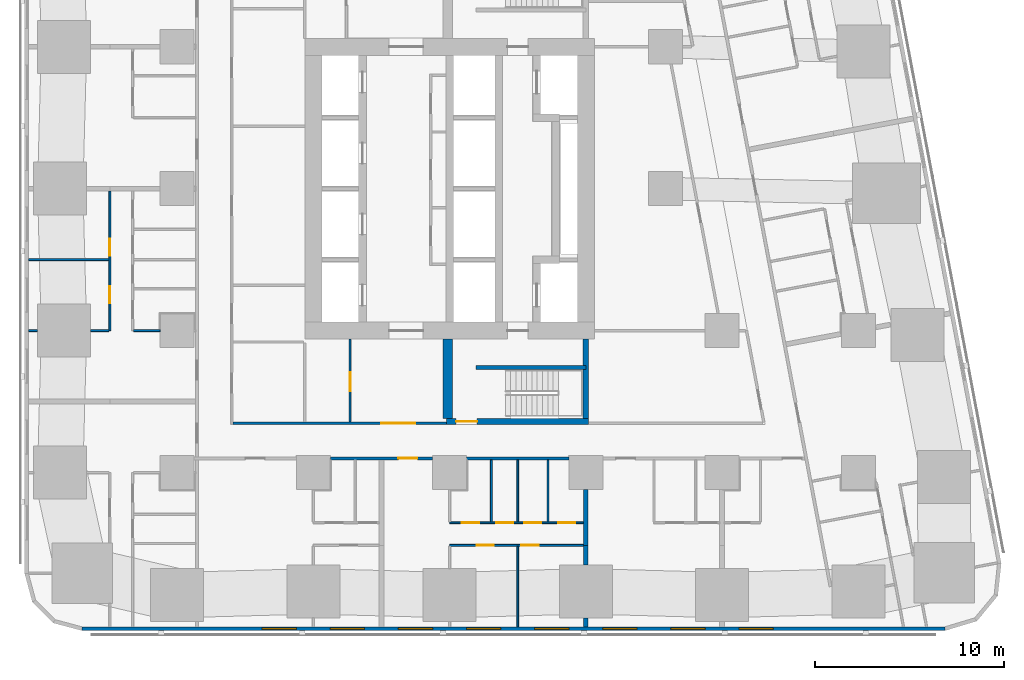
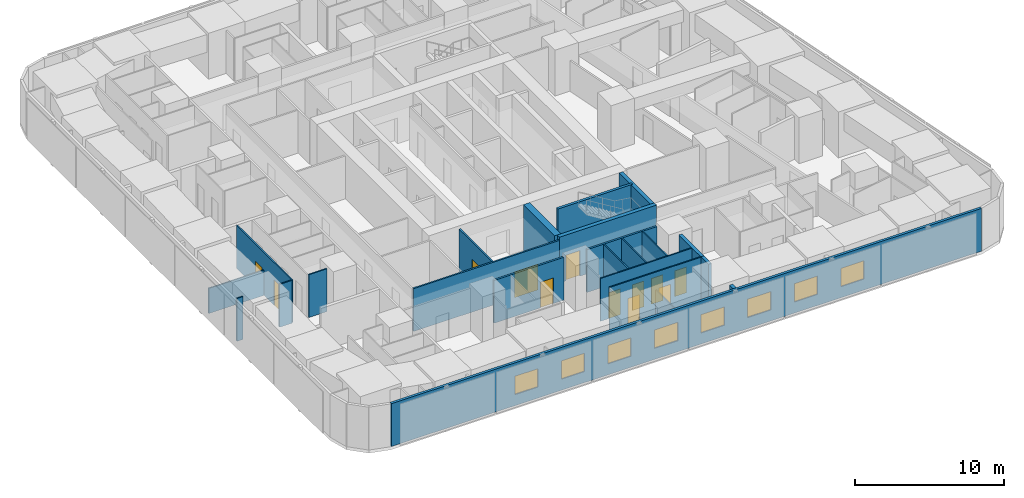
# One storey, part 3 of 16: 23 walls, 12 doors, 8 windows, 20 openings.
"""IFC4 building model written with IfcOpenShell, lengths in metres."""

from ifc_helpers import new_model, si_unit, direction, frame, frame_2d, origin, place, context, subcontext, project, spatial, rectangle, extrude, material, layer, layer_set, type_object, element, fill, save


model = new_model("IFC4")

# Units and contexts
model_context = context("Model", 3, precision=1e-05, world=origin(), true_north=direction((0.0, 1.0)))
body_context = subcontext(model_context, "Body", "Model", "MODEL_VIEW")
ifc_project = project(units=[si_unit("LENGTHUNIT", "METRE"), si_unit("AREAUNIT", "SQUARE_METRE"), si_unit("VOLUMEUNIT", "CUBIC_METRE"), si_unit("PLANEANGLEUNIT", "RADIAN"), si_unit("MASSUNIT", "GRAM", prefix="KILO")], contexts=[model_context])

# Site, building, storey
site_placement = place(None, origin())
site = spatial("IfcSite", under=ifc_project, at=site_placement, CompositionType="ELEMENT")
building_placement = place(site_placement, origin())
building = spatial("IfcBuilding", under=site, at=building_placement, Name="Sheger Commons Tower", CompositionType="ELEMENT")
storey_placement = place(building_placement, frame((0.0, 0.0, 57.5)))
storey = spatial("IfcBuildingStorey", under=building, at=storey_placement, Name="L14", CompositionType="ELEMENT", Elevation=57.5)

# Wall
ifc_material_1 = material(Name="Hollow concrete block masonry, skimmed both sides", Category="masonry")
ifc_layer_1 = layer(ifc_material_1, 0.14990234375)
ifc_layer_set_1 = layer_set([ifc_layer_1], Name="CORRIDOR WALL 150")
wall_type_1 = type_object("IfcWallType", Name="CORRIDOR WALL 150", PredefinedType="SOLIDWALL", material=ifc_layer_set_1)
wall_1_placement = place(storey_placement, frame((27.89892578125, 8.25, 0.0), z_axis=(0.0, 0.0, 1.0), x_axis=(-1.0, 0.0, 0.0)))
element("IfcWall", 1, at=wall_1_placement, inside=storey, type_object=wall_type_1, Name="Corridor wall L14", PredefinedType="SOLIDWALL", context=body_context, shape_type="SweptSolid", body=[
    extrude(rectangle(XDim=5.39794921875, YDim=0.14990234375, at=frame_2d((2.698974609375, 0.0))), origin(), (0.0, 0.0, 1.0), 3.5),
])

# Wall, opening, door
wall_2_placement = place(storey_placement, frame((20.698974609375, 8.25, 0.0), z_axis=(0.0, 0.0, 1.0), x_axis=(-1.0, 0.0, 0.0)))
wall_2 = element("IfcWall", 2, at=wall_2_placement, inside=storey, type_object=wall_type_1, Name="Corridor wall L14", PredefinedType="SOLIDWALL", context=body_context, shape_type="SweptSolid", body=[
    extrude(rectangle(XDim=5.39794921875, YDim=0.14990234375, at=frame_2d((2.698974609375, 0.0))), origin(), (0.0, 0.0, 1.0), 3.5),
])
opening_1_placement = place(wall_2_placement, frame((0.799072265625, 0.0, 0.0)))
opening_1 = element("IfcOpeningElement", 3, at=opening_1_placement, cuts=wall_2, Name="Opening D1", PredefinedType="OPENING", context=body_context, shape_type="SweptSolid", body=[
    extrude(rectangle(XDim=1.0, YDim=2.10009765625, at=frame_2d((0.5, 1.050048828125))), frame((0.0, 0.0849609375, 0.0), z_axis=(0.0, -1.0, 0.0), x_axis=(1.0, 0.0, 0.0)), (0.0, 0.0, 1.0), 0.169921875),
])
ifc_material_2 = material(Name="Steel door set, fire rated", Category="steel")
door_type_1 = type_object("IfcDoorType", Name="FLAT ENTRANCE DOOR 1000x2100", OperationType="NOTDEFINED", PredefinedType="DOOR", material=ifc_material_2)
door_1_placement = place(opening_1_placement, origin())
door_1 = element("IfcDoor", 4, at=door_1_placement, inside=storey, type_object=door_type_1, Name="Flat entrance door", OperationType="SINGLE_SWING_LEFT", OverallHeight=2.10009765625, OverallWidth=1.0, PredefinedType="DOOR", context=body_context, shape_type="SweptSolid", body=[
    extrude(rectangle(XDim=1.0, YDim=2.10009765625, at=frame_2d((0.5, 1.050048828125))), frame((0.0, 0.02490234375, 0.0), z_axis=(0.0, -1.0, 0.0), x_axis=(1.0, 0.0, 0.0)), (0.0, 0.0, 1.0), 0.050048828125),
])
fill(opening_1, door_1)

# Walls
ifc_material_3 = material(Name="Dense concrete block masonry, plastered both sides (separating wall between flats)", Category="masonry")
ifc_layer_2 = layer(ifc_material_3, 0.25)
ifc_layer_set_2 = layer_set([ifc_layer_2], Name="DEMISING WALL 250")
wall_type_2 = type_object("IfcWallType", Name="DEMISING WALL 250", PredefinedType="SOLIDWALL", material=ifc_layer_set_2)
wall_3_placement = place(storey_placement, frame((28.800048828125, -0.64990234375, 0.0), z_axis=(0.0, 0.0, 1.0), x_axis=(0.0, 1.0, 0.0)))
element("IfcWall", 5, at=wall_3_placement, inside=storey, type_object=wall_type_2, Name="Demising wall L14", PredefinedType="SOLIDWALL", context=body_context, shape_type="SweptSolid", body=[
    extrude(rectangle(XDim=0.473876953125, YDim=0.25, at=frame_2d((0.23681640625, 0.0))), origin(), (0.0, 0.0, 1.0), 3.5),
])
wall_4_placement = place(storey_placement, frame((28.800048828125, 2.6259765625, 0.0), z_axis=(0.0, 0.0, 1.0), x_axis=(0.0, 1.0, 0.0)))
element("IfcWall", 6, at=wall_4_placement, inside=storey, type_object=wall_type_2, Name="Demising wall L14", PredefinedType="SOLIDWALL", context=body_context, shape_type="SweptSolid", body=[
    extrude(rectangle(XDim=1.02392578125, YDim=0.25, at=frame_2d((0.511962890625, 0.0))), origin(), (0.0, 0.0, 1.0), 3.5),
])
wall_5_placement = place(storey_placement, frame((28.800048828125, 3.64990234375, 0.0), z_axis=(0.0, 0.0, 1.0), x_axis=(0.0, 1.0, 0.0)))
element("IfcWall", 7, at=wall_5_placement, inside=storey, type_object=wall_type_2, Name="Demising wall L14", PredefinedType="SOLIDWALL", context=body_context, shape_type="SweptSolid", body=[
    extrude(rectangle(XDim=2.94921875, YDim=0.25, at=frame_2d((1.474609375, 0.0))), origin(), (0.0, 0.0, 1.0), 3.5),
])

# Wall, openings, windows
ifc_material_4 = material(Name="Rendered concrete block masonry, dark grey", Category="masonry")
ifc_layer_3 = layer(ifc_material_4, 0.199951171875)
ifc_layer_set_3 = layer_set([ifc_layer_3], Name="FACADE WALL 200")
wall_type_3 = type_object("IfcWallType", Name="FACADE WALL 200", PredefinedType="SOLIDWALL", material=ifc_layer_set_3)
wall_6_placement = place(storey_placement, frame((2.1630859375, -0.75, 0.0), z_axis=(0.0, 0.0, 1.0), x_axis=(1.0, 0.0, 0.0)))
wall_6 = element("IfcWall", 8, at=wall_6_placement, inside=storey, type_object=wall_type_3, Name="Facade wall L14", PredefinedType="SOLIDWALL", context=body_context, shape_type="SweptSolid", body=[
    extrude(rectangle(XDim=45.6279296875, YDim=0.199951171875, at=frame_2d((22.81396484375, 0.0))), origin(), (0.0, 0.0, 1.0), 3.5),
])
opening_2_placement = place(wall_6_placement, frame((9.537109375, 0.0, 0.89990234375)))
opening_2 = element("IfcOpeningElement", 9, at=opening_2_placement, cuts=wall_6, Name="Opening W2", PredefinedType="OPENING", context=body_context, shape_type="SweptSolid", body=[
    extrude(rectangle(XDim=1.800048828125, YDim=1.5, at=frame_2d((0.89990234375, 0.75))), frame((0.0, 0.10986328125, 0.0), z_axis=(0.0, -1.0, 0.0), x_axis=(1.0, 0.0, 0.0)), (0.0, 0.0, 1.0), 0.219970703125),
])
opening_3_placement = place(wall_6_placement, frame((13.136962890625, 0.0, 0.89990234375)))
opening_3 = element("IfcOpeningElement", 10, at=opening_3_placement, cuts=wall_6, Name="Opening W2", PredefinedType="OPENING", context=body_context, shape_type="SweptSolid", body=[
    extrude(rectangle(XDim=1.800048828125, YDim=1.5, at=frame_2d((0.89990234375, 0.75))), frame((0.0, 0.10986328125, 0.0), z_axis=(0.0, -1.0, 0.0), x_axis=(1.0, 0.0, 0.0)), (0.0, 0.0, 1.0), 0.219970703125),
])
opening_4_placement = place(wall_6_placement, frame((16.737060546875, 0.0, 0.89990234375)))
opening_4 = element("IfcOpeningElement", 11, at=opening_4_placement, cuts=wall_6, Name="Opening W2", PredefinedType="OPENING", context=body_context, shape_type="SweptSolid", body=[
    extrude(rectangle(XDim=1.800048828125, YDim=1.5, at=frame_2d((0.89990234375, 0.75))), frame((0.0, 0.10986328125, 0.0), z_axis=(0.0, -1.0, 0.0), x_axis=(1.0, 0.0, 0.0)), (0.0, 0.0, 1.0), 0.219970703125),
])
opening_5_placement = place(wall_6_placement, frame((20.3369140625, 0.0, 0.89990234375)))
opening_5 = element("IfcOpeningElement", 12, at=opening_5_placement, cuts=wall_6, Name="Opening W2", PredefinedType="OPENING", context=body_context, shape_type="SweptSolid", body=[
    extrude(rectangle(XDim=1.800048828125, YDim=1.5, at=frame_2d((0.89990234375, 0.75))), frame((0.0, 0.10986328125, 0.0), z_axis=(0.0, -1.0, 0.0), x_axis=(1.0, 0.0, 0.0)), (0.0, 0.0, 1.0), 0.219970703125),
])
opening_6_placement = place(wall_6_placement, frame((23.93701171875, 0.0, 0.89990234375)))
opening_6 = element("IfcOpeningElement", 13, at=opening_6_placement, cuts=wall_6, Name="Opening W2", PredefinedType="OPENING", context=body_context, shape_type="SweptSolid", body=[
    extrude(rectangle(XDim=1.800048828125, YDim=1.5, at=frame_2d((0.89990234375, 0.75))), frame((0.0, 0.10986328125, 0.0), z_axis=(0.0, -1.0, 0.0), x_axis=(1.0, 0.0, 0.0)), (0.0, 0.0, 1.0), 0.219970703125),
])
opening_7_placement = place(wall_6_placement, frame((27.537109375, 0.0, 0.89990234375)))
opening_7 = element("IfcOpeningElement", 14, at=opening_7_placement, cuts=wall_6, Name="Opening W2", PredefinedType="OPENING", context=body_context, shape_type="SweptSolid", body=[
    extrude(rectangle(XDim=1.800048828125, YDim=1.5, at=frame_2d((0.89990234375, 0.75))), frame((0.0, 0.10986328125, 0.0), z_axis=(0.0, -1.0, 0.0), x_axis=(1.0, 0.0, 0.0)), (0.0, 0.0, 1.0), 0.219970703125),
])
opening_8_placement = place(wall_6_placement, frame((31.136962890625, 0.0, 0.89990234375)))
opening_8 = element("IfcOpeningElement", 15, at=opening_8_placement, cuts=wall_6, Name="Opening W2", PredefinedType="OPENING", context=body_context, shape_type="SweptSolid", body=[
    extrude(rectangle(XDim=1.800048828125, YDim=1.5, at=frame_2d((0.89990234375, 0.75))), frame((0.0, 0.10986328125, 0.0), z_axis=(0.0, -1.0, 0.0), x_axis=(1.0, 0.0, 0.0)), (0.0, 0.0, 1.0), 0.219970703125),
])
opening_9_placement = place(wall_6_placement, frame((34.737060546875, 0.0, 0.89990234375)))
opening_9 = element("IfcOpeningElement", 16, at=opening_9_placement, cuts=wall_6, Name="Opening W2", PredefinedType="OPENING", context=body_context, shape_type="SweptSolid", body=[
    extrude(rectangle(XDim=1.800048828125, YDim=1.5, at=frame_2d((0.89990234375, 0.75))), frame((0.0, 0.10986328125, 0.0), z_axis=(0.0, -1.0, 0.0), x_axis=(1.0, 0.0, 0.0)), (0.0, 0.0, 1.0), 0.219970703125),
])
ifc_material_5 = material(Name="Black aluminium frame, dark tinted double glazing", Category="aluminium")
window_type = type_object("IfcWindowType", Name="WINDOW W2 1800x1500", PartitioningType="SINGLE_PANEL", PredefinedType="WINDOW", material=ifc_material_5)
window_1_placement = place(opening_2_placement, origin())
window_1 = element("IfcWindow", 17, at=window_1_placement, inside=storey, type_object=window_type, Name="Window W2 1800X1500", OverallHeight=1.5, OverallWidth=1.800048828125, PartitioningType="SINGLE_PANEL", PredefinedType="WINDOW", context=body_context, shape_type="SweptSolid", body=[
    extrude(rectangle(XDim=1.800048828125, YDim=1.5, at=frame_2d((0.89990234375, 0.75))), frame((0.0, 0.030029296875, 0.0), z_axis=(0.0, -1.0, 0.0), x_axis=(1.0, 0.0, 0.0)), (0.0, 0.0, 1.0), 0.06005859375),
])
fill(opening_2, window_1)
window_2_placement = place(opening_3_placement, origin())
window_2 = element("IfcWindow", 18, at=window_2_placement, inside=storey, type_object=window_type, Name="Window W2 1800X1500", OverallHeight=1.5, OverallWidth=1.800048828125, PartitioningType="SINGLE_PANEL", PredefinedType="WINDOW", context=body_context, shape_type="SweptSolid", body=[
    extrude(rectangle(XDim=1.800048828125, YDim=1.5, at=frame_2d((0.89990234375, 0.75))), frame((0.0, 0.030029296875, 0.0), z_axis=(0.0, -1.0, 0.0), x_axis=(1.0, 0.0, 0.0)), (0.0, 0.0, 1.0), 0.06005859375),
])
fill(opening_3, window_2)
window_3_placement = place(opening_4_placement, origin())
window_3 = element("IfcWindow", 19, at=window_3_placement, inside=storey, type_object=window_type, Name="Window W2 1800X1500", OverallHeight=1.5, OverallWidth=1.800048828125, PartitioningType="SINGLE_PANEL", PredefinedType="WINDOW", context=body_context, shape_type="SweptSolid", body=[
    extrude(rectangle(XDim=1.800048828125, YDim=1.5, at=frame_2d((0.89990234375, 0.75))), frame((0.0, 0.030029296875, 0.0), z_axis=(0.0, -1.0, 0.0), x_axis=(1.0, 0.0, 0.0)), (0.0, 0.0, 1.0), 0.06005859375),
])
fill(opening_4, window_3)
window_4_placement = place(opening_5_placement, origin())
window_4 = element("IfcWindow", 20, at=window_4_placement, inside=storey, type_object=window_type, Name="Window W2 1800X1500", OverallHeight=1.5, OverallWidth=1.800048828125, PartitioningType="SINGLE_PANEL", PredefinedType="WINDOW", context=body_context, shape_type="SweptSolid", body=[
    extrude(rectangle(XDim=1.800048828125, YDim=1.5, at=frame_2d((0.89990234375, 0.75))), frame((0.0, 0.030029296875, 0.0), z_axis=(0.0, -1.0, 0.0), x_axis=(1.0, 0.0, 0.0)), (0.0, 0.0, 1.0), 0.06005859375),
])
fill(opening_5, window_4)
window_5_placement = place(opening_6_placement, origin())
window_5 = element("IfcWindow", 21, at=window_5_placement, inside=storey, type_object=window_type, Name="Window W2 1800X1500", OverallHeight=1.5, OverallWidth=1.800048828125, PartitioningType="SINGLE_PANEL", PredefinedType="WINDOW", context=body_context, shape_type="SweptSolid", body=[
    extrude(rectangle(XDim=1.800048828125, YDim=1.5, at=frame_2d((0.89990234375, 0.75))), frame((0.0, 0.030029296875, 0.0), z_axis=(0.0, -1.0, 0.0), x_axis=(1.0, 0.0, 0.0)), (0.0, 0.0, 1.0), 0.06005859375),
])
fill(opening_6, window_5)
window_6_placement = place(opening_7_placement, origin())
window_6 = element("IfcWindow", 22, at=window_6_placement, inside=storey, type_object=window_type, Name="Window W2 1800X1500", OverallHeight=1.5, OverallWidth=1.800048828125, PartitioningType="SINGLE_PANEL", PredefinedType="WINDOW", context=body_context, shape_type="SweptSolid", body=[
    extrude(rectangle(XDim=1.800048828125, YDim=1.5, at=frame_2d((0.89990234375, 0.75))), frame((0.0, 0.030029296875, 0.0), z_axis=(0.0, -1.0, 0.0), x_axis=(1.0, 0.0, 0.0)), (0.0, 0.0, 1.0), 0.06005859375),
])
fill(opening_7, window_6)
window_7_placement = place(opening_8_placement, origin())
window_7 = element("IfcWindow", 23, at=window_7_placement, inside=storey, type_object=window_type, Name="Window W2 1800X1500", OverallHeight=1.5, OverallWidth=1.800048828125, PartitioningType="SINGLE_PANEL", PredefinedType="WINDOW", context=body_context, shape_type="SweptSolid", body=[
    extrude(rectangle(XDim=1.800048828125, YDim=1.5, at=frame_2d((0.89990234375, 0.75))), frame((0.0, 0.030029296875, 0.0), z_axis=(0.0, -1.0, 0.0), x_axis=(1.0, 0.0, 0.0)), (0.0, 0.0, 1.0), 0.06005859375),
])
fill(opening_8, window_7)
window_8_placement = place(opening_9_placement, origin())
window_8 = element("IfcWindow", 24, at=window_8_placement, inside=storey, type_object=window_type, Name="Window W2 1800X1500", OverallHeight=1.5, OverallWidth=1.800048828125, PartitioningType="SINGLE_PANEL", PredefinedType="WINDOW", context=body_context, shape_type="SweptSolid", body=[
    extrude(rectangle(XDim=1.800048828125, YDim=1.5, at=frame_2d((0.89990234375, 0.75))), frame((0.0, 0.030029296875, 0.0), z_axis=(0.0, -1.0, 0.0), x_axis=(1.0, 0.0, 0.0)), (0.0, 0.0, 1.0), 0.06005859375),
])
fill(opening_9, window_8)

# Wall, openings, doors
ifc_material_6 = material(Name="Gypsum board on steel studs", Category="steel")
ifc_layer_4 = layer(ifc_material_6, 0.10009765625)
ifc_layer_set_4 = layer_set([ifc_layer_4], Name="PARTITION 100")
wall_type_4 = type_object("IfcWallType", Name="PARTITION 100", PredefinedType="PARTITIONING", material=ifc_layer_set_4)
wall_7_placement = place(storey_placement, frame((3.64990234375, 15.0, 0.0), z_axis=(0.0, 0.0, 1.0), x_axis=(0.0, 1.0, 0.0)))
wall_7 = element("IfcWall", 25, at=wall_7_placement, inside=storey, type_object=wall_type_4, Name="Partition L14", PredefinedType="PARTITIONING", context=body_context, shape_type="SweptSolid", body=[
    extrude(rectangle(XDim=7.375, YDim=0.10009765625, at=frame_2d((3.6875, 0.0))), origin(), (0.0, 0.0, 1.0), 3.5),
])
opening_10_placement = place(wall_7_placement, frame((1.449951171875, 0.0, 0.0)))
opening_10 = element("IfcOpeningElement", 26, at=opening_10_placement, cuts=wall_7, Name="Opening D2", PredefinedType="OPENING", context=body_context, shape_type="SweptSolid", body=[
    extrude(rectangle(XDim=0.89990234375, YDim=2.10009765625, at=frame_2d((0.449951171875, 1.050048828125))), frame((0.0, 0.06005859375, 0.0), z_axis=(0.0, -1.0, 0.0), x_axis=(1.0, 0.0, 0.0)), (0.0, 0.0, 1.0), 0.1201171875),
])
opening_11_placement = place(wall_7_placement, frame((3.949951171875, 0.0, 0.0)))
opening_11 = element("IfcOpeningElement", 27, at=opening_11_placement, cuts=wall_7, Name="Opening D2", PredefinedType="OPENING", context=body_context, shape_type="SweptSolid", body=[
    extrude(rectangle(XDim=0.89990234375, YDim=2.10009765625, at=frame_2d((0.449951171875, 1.050048828125))), frame((0.0, 0.06005859375, 0.0), z_axis=(0.0, -1.0, 0.0), x_axis=(1.0, 0.0, 0.0)), (0.0, 0.0, 1.0), 0.1201171875),
])
ifc_material_7 = material(Name="Timber door set", Category="wood")
door_type_2 = type_object("IfcDoorType", Name="INTERNAL DOOR 900x2100", OperationType="NOTDEFINED", PredefinedType="DOOR", material=ifc_material_7)
door_2_placement = place(opening_10_placement, origin())
door_2 = element("IfcDoor", 28, at=door_2_placement, inside=storey, type_object=door_type_2, Name="Main bedroom door", OperationType="SINGLE_SWING_LEFT", OverallHeight=2.10009765625, OverallWidth=0.89990234375, PredefinedType="DOOR", context=body_context, shape_type="SweptSolid", body=[
    extrude(rectangle(XDim=0.89990234375, YDim=2.10009765625, at=frame_2d((0.449951171875, 1.050048828125))), frame((0.0, 0.02490234375, 0.0), z_axis=(0.0, -1.0, 0.0), x_axis=(1.0, 0.0, 0.0)), (0.0, 0.0, 1.0), 0.050048828125),
])
fill(opening_10, door_2)
door_3_placement = place(opening_11_placement, origin())
door_3 = element("IfcDoor", 29, at=door_3_placement, inside=storey, type_object=door_type_2, Name="Bedroom 2 door", OperationType="SINGLE_SWING_LEFT", OverallHeight=2.10009765625, OverallWidth=0.89990234375, PredefinedType="DOOR", context=body_context, shape_type="SweptSolid", body=[
    extrude(rectangle(XDim=0.89990234375, YDim=2.10009765625, at=frame_2d((0.449951171875, 1.050048828125))), frame((0.0, 0.02490234375, 0.0), z_axis=(0.0, -1.0, 0.0), x_axis=(1.0, 0.0, 0.0)), (0.0, 0.0, 1.0), 0.050048828125),
])
fill(opening_11, door_3)

# Walls
wall_8_placement = place(storey_placement, frame((-0.64990234375, 15.0, 0.0), z_axis=(0.0, 0.0, 1.0), x_axis=(1.0, 0.0, 0.0)))
element("IfcWall", 30, at=wall_8_placement, inside=storey, type_object=wall_type_4, Name="Partition L14", PredefinedType="PARTITIONING", context=body_context, shape_type="SweptSolid", body=[
    extrude(rectangle(XDim=0.473876953125, YDim=0.10009765625, at=frame_2d((0.23681640625, 0.0))), origin(), (0.0, 0.0, 1.0), 3.5),
])
wall_9_placement = place(storey_placement, frame((2.6259765625, 15.0, 0.0), z_axis=(0.0, 0.0, 1.0), x_axis=(1.0, 0.0, 0.0)))
element("IfcWall", 31, at=wall_9_placement, inside=storey, type_object=wall_type_4, Name="Partition L14", PredefinedType="PARTITIONING", context=body_context, shape_type="SweptSolid", body=[
    extrude(rectangle(XDim=0.97412109375, YDim=0.10009765625, at=frame_2d((0.487060546875, 0.0))), origin(), (0.0, 0.0, 1.0), 3.5),
])
wall_10_placement = place(storey_placement, frame((-0.64990234375, 18.75, 0.0), z_axis=(0.0, 0.0, 1.0), x_axis=(1.0, 0.0, 0.0)))
element("IfcWall", 32, at=wall_10_placement, inside=storey, type_object=wall_type_4, Name="Partition L14", PredefinedType="PARTITIONING", context=body_context, shape_type="SweptSolid", body=[
    extrude(rectangle(XDim=4.25, YDim=0.10009765625, at=frame_2d((2.125, 0.0))), origin(), (0.0, 0.0, 1.0), 2.050048828125),
])
wall_11_placement = place(storey_placement, frame((4.89990234375, 15.0, 0.0), z_axis=(0.0, 0.0, 1.0), x_axis=(1.0, 0.0, 0.0)))
element("IfcWall", 33, at=wall_11_placement, inside=storey, type_object=wall_type_4, Name="Partition L14", PredefinedType="PARTITIONING", context=body_context, shape_type="SweptSolid", body=[
    extrude(rectangle(XDim=1.399169921875, YDim=0.10009765625, at=frame_2d((0.69970703125, 0.0))), origin(), (0.0, 0.0, 1.0), 3.5),
])

# Wall, openings, doors
wall_12_placement = place(storey_placement, frame((28.675048828125, 3.64990234375, 0.0), z_axis=(0.0, 0.0, 1.0), x_axis=(-1.0, 0.0, 0.0)))
wall_12 = element("IfcWall", 34, at=wall_12_placement, inside=storey, type_object=wall_type_4, Name="Partition L14", PredefinedType="PARTITIONING", context=body_context, shape_type="SweptSolid", body=[
    extrude(rectangle(XDim=7.074951171875, YDim=0.10009765625, at=frame_2d((3.53759765625, 0.0))), origin(), (0.0, 0.0, 1.0), 3.5),
])
opening_12_placement = place(wall_12_placement, frame((4.75, 0.0, 0.0)))
opening_12 = element("IfcOpeningElement", 35, at=opening_12_placement, cuts=wall_12, Name="Opening D2", PredefinedType="OPENING", context=body_context, shape_type="SweptSolid", body=[
    extrude(rectangle(XDim=0.89990234375, YDim=2.10009765625, at=frame_2d((0.449951171875, 1.050048828125))), frame((0.0, 0.06005859375, 0.0), z_axis=(0.0, -1.0, 0.0), x_axis=(1.0, 0.0, 0.0)), (0.0, 0.0, 1.0), 0.1201171875),
])
opening_13_placement = place(wall_12_placement, frame((2.375, 0.0, 0.0)))
opening_13 = element("IfcOpeningElement", 36, at=opening_13_placement, cuts=wall_12, Name="Opening D2", PredefinedType="OPENING", context=body_context, shape_type="SweptSolid", body=[
    extrude(rectangle(XDim=0.89990234375, YDim=2.10009765625, at=frame_2d((0.449951171875, 1.050048828125))), frame((0.0, 0.06005859375, 0.0), z_axis=(0.0, -1.0, 0.0), x_axis=(1.0, 0.0, 0.0)), (0.0, 0.0, 1.0), 0.1201171875),
])
door_4_placement = place(opening_12_placement, origin())
door_4 = element("IfcDoor", 37, at=door_4_placement, inside=storey, type_object=door_type_2, Name="Main bedroom door", OperationType="SINGLE_SWING_RIGHT", OverallHeight=2.10009765625, OverallWidth=0.89990234375, PredefinedType="DOOR", context=body_context, shape_type="SweptSolid", body=[
    extrude(rectangle(XDim=0.89990234375, YDim=2.10009765625, at=frame_2d((0.449951171875, 1.050048828125))), frame((0.0, 0.02490234375, 0.0), z_axis=(0.0, -1.0, 0.0), x_axis=(1.0, 0.0, 0.0)), (0.0, 0.0, 1.0), 0.050048828125),
])
fill(opening_12, door_4)
door_5_placement = place(opening_13_placement, origin())
door_5 = element("IfcDoor", 38, at=door_5_placement, inside=storey, type_object=door_type_2, Name="Bedroom 2 door", OperationType="SINGLE_SWING_RIGHT", OverallHeight=2.10009765625, OverallWidth=0.89990234375, PredefinedType="DOOR", context=body_context, shape_type="SweptSolid", body=[
    extrude(rectangle(XDim=0.89990234375, YDim=2.10009765625, at=frame_2d((0.449951171875, 1.050048828125))), frame((0.0, 0.02490234375, 0.0), z_axis=(0.0, -1.0, 0.0), x_axis=(1.0, 0.0, 0.0)), (0.0, 0.0, 1.0), 0.050048828125),
])
fill(opening_13, door_5)

wall_13_placement = place(storey_placement, frame((28.675048828125, 4.85009765625, 0.0), z_axis=(0.0, 0.0, 1.0), x_axis=(-1.0, 0.0, 0.0)))
wall_13 = element("IfcWall", 39, at=wall_13_placement, inside=storey, type_object=wall_type_4, Name="Partition L14", PredefinedType="PARTITIONING", context=body_context, shape_type="SweptSolid", body=[
    extrude(rectangle(XDim=7.074951171875, YDim=0.10009765625, at=frame_2d((3.53759765625, 0.0))), origin(), (0.0, 0.0, 1.0), 3.5),
])
opening_14_placement = place(wall_13_placement, frame((5.52001953125, 0.0, 0.0)))
opening_14 = element("IfcOpeningElement", 40, at=opening_14_placement, cuts=wall_13, Name="Opening D2", PredefinedType="OPENING", context=body_context, shape_type="SweptSolid", body=[
    extrude(rectangle(XDim=0.89990234375, YDim=2.10009765625, at=frame_2d((0.449951171875, 1.050048828125))), frame((0.0, 0.06005859375, 0.0), z_axis=(0.0, -1.0, 0.0), x_axis=(1.0, 0.0, 0.0)), (0.0, 0.0, 1.0), 0.1201171875),
])
opening_15_placement = place(wall_13_placement, frame((2.22509765625, 0.0, 0.0)))
opening_15 = element("IfcOpeningElement", 41, at=opening_15_placement, cuts=wall_13, Name="Opening D2", PredefinedType="OPENING", context=body_context, shape_type="SweptSolid", body=[
    extrude(rectangle(XDim=0.89990234375, YDim=2.10009765625, at=frame_2d((0.449951171875, 1.050048828125))), frame((0.0, 0.06005859375, 0.0), z_axis=(0.0, -1.0, 0.0), x_axis=(1.0, 0.0, 0.0)), (0.0, 0.0, 1.0), 0.1201171875),
])
opening_16_placement = place(wall_13_placement, frame((3.719970703125, 0.0, 0.0)))
opening_16 = element("IfcOpeningElement", 42, at=opening_16_placement, cuts=wall_13, Name="Opening D2", PredefinedType="OPENING", context=body_context, shape_type="SweptSolid", body=[
    extrude(rectangle(XDim=0.89990234375, YDim=2.10009765625, at=frame_2d((0.449951171875, 1.050048828125))), frame((0.0, 0.06005859375, 0.0), z_axis=(0.0, -1.0, 0.0), x_axis=(1.0, 0.0, 0.0)), (0.0, 0.0, 1.0), 0.1201171875),
])
opening_17_placement = place(wall_13_placement, frame((0.425048828125, 0.0, 0.0)))
opening_17 = element("IfcOpeningElement", 43, at=opening_17_placement, cuts=wall_13, Name="Opening D2", PredefinedType="OPENING", context=body_context, shape_type="SweptSolid", body=[
    extrude(rectangle(XDim=0.89990234375, YDim=2.10009765625, at=frame_2d((0.449951171875, 1.050048828125))), frame((0.0, 0.06005859375, 0.0), z_axis=(0.0, -1.0, 0.0), x_axis=(1.0, 0.0, 0.0)), (0.0, 0.0, 1.0), 0.1201171875),
])
door_6_placement = place(opening_14_placement, origin())
door_6 = element("IfcDoor", 44, at=door_6_placement, inside=storey, type_object=door_type_2, Name="Bathroom door", OperationType="SINGLE_SWING_LEFT", OverallHeight=2.10009765625, OverallWidth=0.89990234375, PredefinedType="DOOR", context=body_context, shape_type="SweptSolid", body=[
    extrude(rectangle(XDim=0.89990234375, YDim=2.10009765625, at=frame_2d((0.449951171875, 1.050048828125))), frame((0.0, 0.02490234375, 0.0), z_axis=(0.0, -1.0, 0.0), x_axis=(1.0, 0.0, 0.0)), (0.0, 0.0, 1.0), 0.050048828125),
])
fill(opening_14, door_6)
door_7_placement = place(opening_15_placement, origin())
door_7 = element("IfcDoor", 45, at=door_7_placement, inside=storey, type_object=door_type_2, Name="Shower room door", OperationType="SINGLE_SWING_LEFT", OverallHeight=2.10009765625, OverallWidth=0.89990234375, PredefinedType="DOOR", context=body_context, shape_type="SweptSolid", body=[
    extrude(rectangle(XDim=0.89990234375, YDim=2.10009765625, at=frame_2d((0.449951171875, 1.050048828125))), frame((0.0, 0.02490234375, 0.0), z_axis=(0.0, -1.0, 0.0), x_axis=(1.0, 0.0, 0.0)), (0.0, 0.0, 1.0), 0.050048828125),
])
fill(opening_15, door_7)
door_8_placement = place(opening_16_placement, origin())
door_8 = element("IfcDoor", 46, at=door_8_placement, inside=storey, type_object=door_type_2, Name="Store door", OperationType="SINGLE_SWING_LEFT", OverallHeight=2.10009765625, OverallWidth=0.89990234375, PredefinedType="DOOR", context=body_context, shape_type="SweptSolid", body=[
    extrude(rectangle(XDim=0.89990234375, YDim=2.10009765625, at=frame_2d((0.449951171875, 1.050048828125))), frame((0.0, 0.02490234375, 0.0), z_axis=(0.0, -1.0, 0.0), x_axis=(1.0, 0.0, 0.0)), (0.0, 0.0, 1.0), 0.050048828125),
])
fill(opening_16, door_8)
door_9_placement = place(opening_17_placement, origin())
door_9 = element("IfcDoor", 47, at=door_9_placement, inside=storey, type_object=door_type_2, Name="Store door", OperationType="SINGLE_SWING_RIGHT", OverallHeight=2.10009765625, OverallWidth=0.89990234375, PredefinedType="DOOR", context=body_context, shape_type="SweptSolid", body=[
    extrude(rectangle(XDim=0.89990234375, YDim=2.10009765625, at=frame_2d((0.449951171875, 1.050048828125))), frame((0.0, 0.02490234375, 0.0), z_axis=(0.0, -1.0, 0.0), x_axis=(1.0, 0.0, 0.0)), (0.0, 0.0, 1.0), 0.050048828125),
])
fill(opening_17, door_9)

# Walls
wall_14_placement = place(storey_placement, frame((25.199951171875, -0.64990234375, 0.0), z_axis=(0.0, 0.0, 1.0), x_axis=(0.0, 1.0, 0.0)))
element("IfcWall", 48, at=wall_14_placement, inside=storey, type_object=wall_type_4, Name="Partition L14", PredefinedType="PARTITIONING", context=body_context, shape_type="SweptSolid", body=[
    extrude(rectangle(XDim=4.25, YDim=0.10009765625, at=frame_2d((2.125, 0.0))), origin(), (0.0, 0.0, 1.0), 2.050048828125),
])
for number, where, z_axis, x_axis, name in (
    (49, (25.199951171875, 4.89990234375, 0.0), (0.0, 0.0, 1.0), (0.0, 1.0, 0.0), "Partition L14"),
    (50, (23.81005859375, 4.89990234375, 0.0), (0.0, 0.0, 1.0), (0.0, 1.0, 0.0), "Partition L14"),
    (51, (26.800048828125, 4.89990234375, 0.0), (0.0, 0.0, 1.0), (0.0, 1.0, 0.0), "Partition L14"),
):
    element("IfcWall", number, at=place(storey_placement, frame(where, z_axis=z_axis, x_axis=x_axis)), inside=storey, type_object=wall_type_4, Name=name, PredefinedType="PARTITIONING", context=body_context, shape_type="SweptSolid", body=[
        extrude(rectangle(XDim=3.275146484375, YDim=0.10009765625, at=frame_2d((1.6376953125, 0.0))), origin(), (0.0, 0.0, 1.0), 3.5),
    ])

# Wall, opening, door
ifc_material_8 = material(Name="Gypsum board on steel studs, two layers each side, fire rated", Category="steel")
ifc_layer_5 = layer(ifc_material_8, 0.125)
ifc_layer_set_5 = layer_set([ifc_layer_5], Name="SERVICE WALL 125")
wall_type_5 = type_object("IfcWallType", Name="SERVICE WALL 125", PredefinedType="PARTITIONING", material=ifc_layer_set_5)
wall_15_placement = place(storey_placement, frame((10.1630859375, 10.10009765625, 0.0), z_axis=(0.0, 0.0, 1.0), x_axis=(1.0, 0.0, 0.0)))
wall_15 = element("IfcWall", 52, at=wall_15_placement, inside=storey, type_object=wall_type_5, Name="Service room wall L14", PredefinedType="PARTITIONING", context=body_context, shape_type="SweptSolid", body=[
    extrude(rectangle(XDim=11.286865234375, YDim=0.125, at=frame_2d((5.6435546875, 0.0))), origin(), (0.0, 0.0, 1.0), 3.5),
])
opening_18_placement = place(wall_15_placement, frame((7.83203125, 0.0, 0.0)))
opening_18 = element("IfcOpeningElement", 53, at=opening_18_placement, cuts=wall_15, Name="Opening D6", PredefinedType="OPENING", context=body_context, shape_type="SweptSolid", body=[
    extrude(rectangle(XDim=1.800048828125, YDim=2.10009765625, at=frame_2d((0.89990234375, 1.050048828125))), frame((0.0, 0.072509765625, 0.0), z_axis=(0.0, -1.0, 0.0), x_axis=(1.0, 0.0, 0.0)), (0.0, 0.0, 1.0), 0.14501953125),
])
ifc_material_9 = material(Name="Steel door set, fire rated", Category="steel")
door_type_3 = type_object("IfcDoorType", Name="LOBBY DOUBLE DOOR 1800x2100", OperationType="DOUBLE_DOOR_SINGLE_SWING", PredefinedType="DOOR", material=ifc_material_9)
door_10_placement = place(opening_18_placement, origin())
door_10 = element("IfcDoor", 54, at=door_10_placement, inside=storey, type_object=door_type_3, Name="Lift lobby south door", OperationType="DOUBLE_DOOR_SINGLE_SWING", OverallHeight=2.10009765625, OverallWidth=1.800048828125, PredefinedType="DOOR", context=body_context, shape_type="SweptSolid", body=[
    extrude(rectangle(XDim=1.800048828125, YDim=2.10009765625, at=frame_2d((0.89990234375, 1.050048828125))), frame((0.0, 0.02490234375, 0.0), z_axis=(0.0, -1.0, 0.0), x_axis=(1.0, 0.0, 0.0)), (0.0, 0.0, 1.0), 0.050048828125),
])
fill(opening_18, door_10)

wall_16_placement = place(storey_placement, frame((16.340087890625, 10.1630859375, 0.0), z_axis=(0.0, 0.0, 1.0), x_axis=(0.0, 1.0, 0.0)))
wall_16 = element("IfcWall", 55, at=wall_16_placement, inside=storey, type_object=wall_type_5, Name="Service room wall L14", PredefinedType="PARTITIONING", context=body_context, shape_type="SweptSolid", body=[
    extrude(rectangle(XDim=4.386962890625, YDim=0.125, at=frame_2d((2.193359375, 0.0))), origin(), (0.0, 0.0, 1.0), 3.5),
])
opening_19_placement = place(wall_16_placement, frame((1.636962890625, 0.0, 0.0)))
opening_19 = element("IfcOpeningElement", 56, at=opening_19_placement, cuts=wall_16, Name="Opening D4", PredefinedType="OPENING", context=body_context, shape_type="SweptSolid", body=[
    extrude(rectangle(XDim=1.0, YDim=2.10009765625, at=frame_2d((0.5, 1.050048828125))), frame((0.0, 0.072509765625, 0.0), z_axis=(0.0, -1.0, 0.0), x_axis=(1.0, 0.0, 0.0)), (0.0, 0.0, 1.0), 0.14501953125),
])
ifc_material_10 = material(Name="Steel door set, fire rated", Category="steel")
door_type_4 = type_object("IfcDoorType", Name="SERVICE DOOR 1000x2100", OperationType="NOTDEFINED", PredefinedType="DOOR", material=ifc_material_10)
door_11_placement = place(opening_19_placement, origin())
door_11 = element("IfcDoor", 57, at=door_11_placement, inside=storey, type_object=door_type_4, Name="Electrical room door", OperationType="SINGLE_SWING_LEFT", OverallHeight=2.10009765625, OverallWidth=1.0, PredefinedType="DOOR", context=body_context, shape_type="SweptSolid", body=[
    extrude(rectangle(XDim=1.0, YDim=2.10009765625, at=frame_2d((0.5, 1.050048828125))), frame((0.0, 0.02490234375, 0.0), z_axis=(0.0, -1.0, 0.0), x_axis=(1.0, 0.0, 0.0)), (0.0, 0.0, 1.0), 0.050048828125),
])
fill(opening_19, door_11)

ifc_material_11 = material(Name="Concrete C50/60", Category="concrete")
ifc_layer_6 = layer(ifc_material_11, 0.300048828125)
ifc_layer_set_6 = layer_set([ifc_layer_6], Name="STAIR CORE WALL 300")
wall_type_6 = type_object("IfcWallType", Name="STAIR CORE WALL 300", PredefinedType="SHEAR", material=ifc_layer_set_6)
wall_17_placement = place(storey_placement, frame((21.449951171875, 10.199951171875, 0.0), z_axis=(0.0, 0.0, 1.0), x_axis=(1.0, 0.0, 0.0)))
wall_17 = element("IfcWall", 58, at=wall_17_placement, inside=storey, type_object=wall_type_6, Name="STW-L14-S1S", PredefinedType="SHEAR", context=body_context, shape_type="SweptSolid", body=[
    extrude(rectangle(XDim=7.5, YDim=0.300048828125, at=frame_2d((3.75, 0.0))), origin(), (0.0, 0.0, 1.0), 3.75),
])
opening_20_placement = place(wall_17_placement, frame((0.5, 0.0, 0.0)))
opening_20 = element("IfcOpeningElement", 59, at=opening_20_placement, cuts=wall_17, Name="Opening D5", PredefinedType="OPENING", context=body_context, shape_type="SweptSolid", body=[
    extrude(rectangle(XDim=1.10009765625, YDim=2.10009765625, at=frame_2d((0.550048828125, 1.050048828125))), frame((0.0, 0.159912109375, 0.0), z_axis=(0.0, -1.0, 0.0), x_axis=(1.0, 0.0, 0.0)), (0.0, 0.0, 1.0), 0.320068359375),
])
ifc_material_12 = material(Name="Steel door set, fire rated", Category="steel")
door_type_5 = type_object("IfcDoorType", Name="STAIR DOOR 1100x2100", OperationType="NOTDEFINED", PredefinedType="DOOR", material=ifc_material_12)
door_12_placement = place(opening_20_placement, origin())
door_12 = element("IfcDoor", 60, at=door_12_placement, inside=storey, type_object=door_type_5, Name="Stair S1 door", OperationType="SINGLE_SWING_LEFT", OverallHeight=2.10009765625, OverallWidth=1.10009765625, PredefinedType="DOOR", context=body_context, shape_type="SweptSolid", body=[
    extrude(rectangle(XDim=1.10009765625, YDim=2.10009765625, at=frame_2d((0.550048828125, 1.050048828125))), frame((0.0, 0.02490234375, 0.0), z_axis=(0.0, -1.0, 0.0), x_axis=(1.0, 0.0, 0.0)), (0.0, 0.0, 1.0), 0.050048828125),
])
fill(opening_20, door_12)

# Walls
wall_18_placement = place(storey_placement, frame((28.800048828125, 10.35009765625, 0.0), z_axis=(0.0, 0.0, 1.0), x_axis=(0.0, 1.0, 0.0)))
element("IfcWall", 61, at=wall_18_placement, inside=storey, type_object=wall_type_6, Name="STW-L14-S1E", PredefinedType="SHEAR", context=body_context, shape_type="SweptSolid", body=[
    extrude(rectangle(XDim=4.199951171875, YDim=0.300048828125, at=frame_2d((2.10009765625, 0.0))), origin(), (0.0, 0.0, 1.0), 3.75),
])
ifc_material_13 = material(Name="Concrete C50/60", Category="concrete")
ifc_layer_7 = layer(ifc_material_13, 0.5)
ifc_layer_set_7 = layer_set([ifc_layer_7], Name="STAIR CORE WALL 500")
wall_type_7 = type_object("IfcWallType", Name="STAIR CORE WALL 500", PredefinedType="SHEAR", material=ifc_layer_set_7)
wall_19_placement = place(storey_placement, frame((21.5, 10.35009765625, 0.0), z_axis=(0.0, 0.0, 1.0), x_axis=(0.0, 1.0, 0.0)))
element("IfcWall", 62, at=wall_19_placement, inside=storey, type_object=wall_type_7, Name="STW-L14-S1W", PredefinedType="SHEAR", context=body_context, shape_type="SweptSolid", body=[
    extrude(rectangle(XDim=4.199951171875, YDim=0.5, at=frame_2d((2.10009765625, 0.0))), origin(), (0.0, 0.0, 1.0), 3.75),
])
ifc_material_14 = material(Name="Concrete C50/60", Category="concrete")
ifc_layer_8 = layer(ifc_material_14, 0.199951171875)
ifc_layer_set_8 = layer_set([ifc_layer_8], Name="STAIR SPINE WALL 200")
wall_type_8 = type_object("IfcWallType", Name="STAIR SPINE WALL 200", PredefinedType="SHEAR", material=ifc_layer_set_8)
wall_20_placement = place(storey_placement, frame((23.0, 13.050048828125, 0.0), z_axis=(0.0, 0.0, 1.0), x_axis=(1.0, 0.0, 0.0)))
element("IfcWall", 63, at=wall_20_placement, inside=storey, type_object=wall_type_8, Name="Stair spine wall L14", PredefinedType="SHEAR", context=body_context, shape_type="SweptSolid", body=[
    extrude(rectangle(XDim=5.800048828125, YDim=0.199951171875, at=frame_2d((2.89990234375, 0.0))), origin(), (0.0, 0.0, 1.0), 3.75),
])

save(model, "model.ifc")
